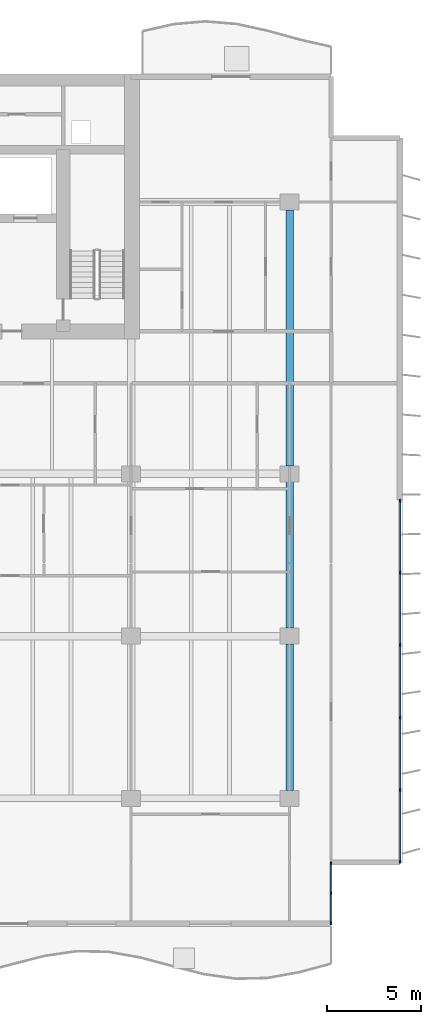
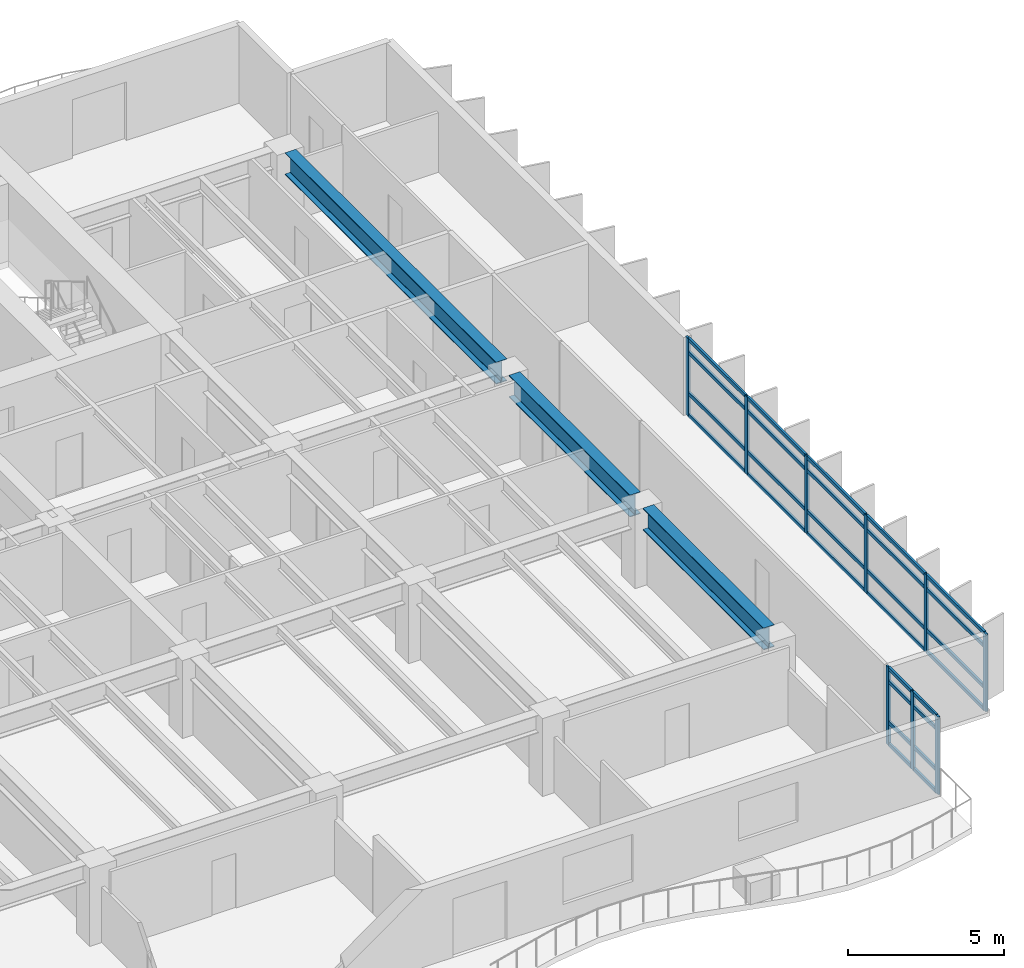
# One storey, part 4 of 16: 37 members, 3 beams, 2 elements without a shape of their own.
"""IFC4 building model written with IfcOpenShell, lengths in metres."""

from ifc_helpers import new_model, si_unit, direction, frame, origin, origin_2d, place, context, subcontext, project, spatial, rectangle, i_section, extrude, material, layer, layer_set, material_profile, profile_set, type_object, element, aggregate, save


model = new_model("IFC4")

# Units and contexts
model_context = context("Model", 3, precision=1e-05, world=origin(), true_north=direction((0.0, 1.0)))
body_context = subcontext(model_context, "Body", "Model", "MODEL_VIEW")
ifc_project = project(units=[si_unit("LENGTHUNIT", "METRE"), si_unit("AREAUNIT", "SQUARE_METRE"), si_unit("VOLUMEUNIT", "CUBIC_METRE"), si_unit("PLANEANGLEUNIT", "RADIAN"), si_unit("MASSUNIT", "GRAM", prefix="KILO")], contexts=[model_context])

# Site, building, storey
site_placement = place(None, origin())
site = spatial("IfcSite", under=ifc_project, at=site_placement, CompositionType="ELEMENT")
building_placement = place(site_placement, origin())
building = spatial("IfcBuilding", under=site, at=building_placement, Name="Caelmar Bay Residences", CompositionType="ELEMENT")
storey_placement = place(building_placement, frame((0.0, 0.0, 142.199951171875)))
storey = spatial("IfcBuildingStorey", under=building, at=storey_placement, Name="L39", CompositionType="ELEMENT", Elevation=142.199951171875)

# Beams
ifc_material_1 = material(Name="Steel ASTM A992 Grade 50", Category="steel")
ifc_material_profile_1 = material_profile(ifc_material_1, i_section(OverallWidth=0.40087890625, OverallDepth=0.861083984375, WebThickness=0.019775390625, FlangeThickness=0.032470703125, FilletRadius=0.017822265625, at=origin_2d()), Name="W33X221")
ifc_profile_set_1 = profile_set([ifc_material_profile_1], Name="Steel ASTM A992 Grade 50")
beam_type = type_object("IfcBeamType", Name="BM-GRD-W33X221", PredefinedType="BEAM", material=ifc_profile_set_1)
for number, where, z_axis, x_axis, name in (
    (1, (67.89990234375, 12.614990234375, 2.61962890625), (0.0, 1.0, 0.0), (-1.0, 0.0, 0.0), "L39 North-South Girder X=67.90 (12.2-20.8)"),
    (2, (67.89990234375, 21.215087890625, 2.61962890625), (0.0, 1.0, 0.0), (-1.0, 0.0, 0.0), "L39 North-South Girder X=67.90 (20.8-29.4)"),
):
    element("IfcBeam", number, at=place(storey_placement, frame(where, z_axis=z_axis, x_axis=x_axis)), inside=storey, type_object=beam_type, Name=name, PredefinedType="BEAM", context=body_context, shape_type="SweptSolid", body=[
        extrude(i_section(OverallWidth=0.40087890625, OverallDepth=0.861083984375, WebThickness=0.019775390625, FlangeThickness=0.032470703125, FilletRadius=0.017822265625, at=origin_2d()), origin(), (0.0, 0.0, 1.0), 7.77001953125),
    ])
beam_placement = place(storey_placement, frame((67.89990234375, 29.81494140625, 2.61962890625), z_axis=(0.0, 1.0, 0.0), x_axis=(-1.0, 0.0, 0.0)))
element("IfcBeam", 3, at=beam_placement, inside=storey, type_object=beam_type, Name="L39 North-South Girder X=67.90 (29.4-43.8)", PredefinedType="BEAM", context=body_context, shape_type="SweptSolid", body=[
    extrude(i_section(OverallWidth=0.40087890625, OverallDepth=0.861083984375, WebThickness=0.019775390625, FlangeThickness=0.032470703125, FilletRadius=0.017822265625, at=origin_2d()), origin(), (0.0, 0.0, 1.0), 13.570068359375),
])

# Curtain wall, members
ifc_material_2 = material(Name="Anodised bronze aluminium 6063-T6 and laminated glass", Category="aluminium")
ifc_layer_1 = layer(ifc_material_2, 0.179931640625)
ifc_layer_set_1 = layer_set([ifc_layer_1], Name="Anodised bronze aluminium 6063-T6 and laminated glass")
curtain_wall_type_1 = type_object("IfcCurtainWallType", Name="CW6-NTC", PredefinedType="NOTDEFINED", material=ifc_layer_set_1)
curtain_wall_1_placement = place(storey_placement, origin())
curtain_wall_1 = element("IfcCurtainWall", 4, at=curtain_wall_1_placement, inside=storey, type_object=curtain_wall_type_1, Name="CW6 curtain wall L39", PredefinedType="NOTDEFINED")
ifc_material_3 = material(Name="Anodised bronze aluminium 6063-T6", Category="aluminium")
ifc_material_profile_2 = material_profile(ifc_material_3, rectangle(XDim=0.080078125, YDim=0.179931640625, at=origin_2d()), Name="CWM-80X180")
ifc_profile_set_2 = profile_set([ifc_material_profile_2], Name="Anodised bronze aluminium 6063-T6")
member_type_1 = type_object("IfcMemberType", Name="CWM-180", PredefinedType="MULLION", material=ifc_profile_set_2)
member_1_placement = place(storey_placement, frame((70.10009765625, 5.590087890625, 0.0), z_axis=(0.0, 0.0, 1.0), x_axis=(-1.0, 0.0, 0.0)))
member_1 = element("IfcMember", 5, at=member_1_placement, type_object=member_type_1, Name="CW6 mullion 1", PredefinedType="MULLION", context=body_context, shape_type="SweptSolid", body=[
    extrude(rectangle(XDim=0.080078125, YDim=0.179931640625, at=origin_2d()), origin(), (0.0, 0.0, 1.0), 3.050048828125),
])
member_2_placement = place(storey_placement, frame((70.10009765625, 7.175048828125, 0.0), z_axis=(0.0, 0.0, 1.0), x_axis=(-1.0, 0.0, 0.0)))
member_2 = element("IfcMember", 6, at=member_2_placement, type_object=member_type_1, Name="CW6 mullion 2", PredefinedType="MULLION", context=body_context, shape_type="SweptSolid", body=[
    extrude(rectangle(XDim=0.080078125, YDim=0.179931640625, at=origin_2d()), origin(), (0.0, 0.0, 1.0), 3.050048828125),
])
member_3_placement = place(storey_placement, frame((70.10009765625, 8.760009765625, 0.0), z_axis=(0.0, 0.0, 1.0), x_axis=(-1.0, 0.0, 0.0)))
member_3 = element("IfcMember", 7, at=member_3_placement, type_object=member_type_1, Name="CW6 mullion 3", PredefinedType="MULLION", context=body_context, shape_type="SweptSolid", body=[
    extrude(rectangle(XDim=0.080078125, YDim=0.179931640625, at=origin_2d()), origin(), (0.0, 0.0, 1.0), 3.050048828125),
])

ifc_layer_2 = layer(ifc_material_2, 0.179931640625)
ifc_layer_set_2 = layer_set([ifc_layer_2], Name="Anodised bronze aluminium 6063-T6 and laminated glass")
curtain_wall_type_2 = type_object("IfcCurtainWallType", Name="CW3-Z2", PredefinedType="NOTDEFINED", material=ifc_layer_set_2)
curtain_wall_2_placement = place(storey_placement, origin())
curtain_wall_2 = element("IfcCurtainWall", 8, at=curtain_wall_2_placement, inside=storey, type_object=curtain_wall_type_2, Name="CW3 curtain wall L39", PredefinedType="NOTDEFINED")
member_4_placement = place(storey_placement, frame((73.75, 27.9599609375, 0.0), z_axis=(0.0, 0.0, 1.0), x_axis=(1.0, 0.0, 0.0)))
member_4 = element("IfcMember", 9, at=member_4_placement, type_object=member_type_1, Name="CW3 mullion 1", PredefinedType="MULLION", context=body_context, shape_type="SweptSolid", body=[
    extrude(rectangle(XDim=0.080078125, YDim=0.179931640625, at=origin_2d()), origin(), (0.0, 0.0, 1.0), 3.050048828125),
])
member_5_placement = place(storey_placement, frame((73.75, 24.159912109375, 0.0), z_axis=(0.0, 0.0, 1.0), x_axis=(1.0, 0.0, 0.0)))
member_5 = element("IfcMember", 10, at=member_5_placement, type_object=member_type_1, Name="CW3 mullion 2", PredefinedType="MULLION", context=body_context, shape_type="SweptSolid", body=[
    extrude(rectangle(XDim=0.080078125, YDim=0.179931640625, at=origin_2d()), origin(), (0.0, 0.0, 1.0), 3.050048828125),
])
member_6_placement = place(storey_placement, frame((73.75, 20.320068359375, 0.0), z_axis=(0.0, 0.0, 1.0), x_axis=(1.0, 0.0, 0.0)))
member_6 = element("IfcMember", 11, at=member_6_placement, type_object=member_type_1, Name="CW3 mullion 3", PredefinedType="MULLION", context=body_context, shape_type="SweptSolid", body=[
    extrude(rectangle(XDim=0.080078125, YDim=0.179931640625, at=origin_2d()), origin(), (0.0, 0.0, 1.0), 3.050048828125),
])
member_7_placement = place(storey_placement, frame((73.75, 16.47998046875, 0.0), z_axis=(0.0, 0.0, 1.0), x_axis=(1.0, 0.0, 0.0)))
member_7 = element("IfcMember", 12, at=member_7_placement, type_object=member_type_1, Name="CW3 mullion 4", PredefinedType="MULLION", context=body_context, shape_type="SweptSolid", body=[
    extrude(rectangle(XDim=0.080078125, YDim=0.179931640625, at=origin_2d()), origin(), (0.0, 0.0, 1.0), 3.050048828125),
])
member_8_placement = place(storey_placement, frame((73.75, 12.639892578125, 0.0), z_axis=(0.0, 0.0, 1.0), x_axis=(1.0, 0.0, 0.0)))
member_8 = element("IfcMember", 13, at=member_8_placement, type_object=member_type_1, Name="CW3 mullion 5", PredefinedType="MULLION", context=body_context, shape_type="SweptSolid", body=[
    extrude(rectangle(XDim=0.080078125, YDim=0.179931640625, at=origin_2d()), origin(), (0.0, 0.0, 1.0), 3.050048828125),
])
member_9_placement = place(storey_placement, frame((73.75, 8.840087890625, 0.0), z_axis=(0.0, 0.0, 1.0), x_axis=(1.0, 0.0, 0.0)))
member_9 = element("IfcMember", 14, at=member_9_placement, type_object=member_type_1, Name="CW3 mullion 6", PredefinedType="MULLION", context=body_context, shape_type="SweptSolid", body=[
    extrude(rectangle(XDim=0.080078125, YDim=0.179931640625, at=origin_2d()), origin(), (0.0, 0.0, 1.0), 3.050048828125),
])

# Member
ifc_material_profile_3 = material_profile(ifc_material_3, rectangle(XDim=0.080078125, YDim=0.139892578125, at=origin_2d()), Name="CWT-80X140")
ifc_profile_set_3 = profile_set([ifc_material_profile_3], Name="Anodised bronze aluminium 6063-T6")
member_type_2 = type_object("IfcMemberType", Name="CWT-140", PredefinedType="NOTDEFINED", material=ifc_profile_set_3)
member_10_placement = place(storey_placement, frame((70.10009765625, 5.6298828125, 0.0400390625), z_axis=(0.0, 1.0, 0.0), x_axis=(-1.0, 0.0, 0.0)))
member_10 = element("IfcMember", 15, at=member_10_placement, type_object=member_type_2, Name="CW6 transom 1.1", ObjectType="TRANSOM", PredefinedType="USERDEFINED", context=body_context, shape_type="SweptSolid", body=[
    extrude(rectangle(XDim=0.080078125, YDim=0.139892578125, at=origin_2d()), origin(), (0.0, 0.0, 1.0), 1.505126953125),
])

member_11_placement = place(storey_placement, frame((70.10009765625, 5.6298828125, 0.900146484375), z_axis=(0.0, 1.0, 0.0), x_axis=(-1.0, 0.0, 0.0)))
member_11 = element("IfcMember", 16, at=member_11_placement, type_object=member_type_2, Name="CW6 transom 1.2", ObjectType="TRANSOM", PredefinedType="USERDEFINED", context=body_context, shape_type="SweptSolid", body=[
    extrude(rectangle(XDim=0.080078125, YDim=0.139892578125, at=origin_2d()), origin(), (0.0, 0.0, 1.0), 1.505126953125),
])

member_12_placement = place(storey_placement, frame((70.10009765625, 5.6298828125, 2.5), z_axis=(0.0, 1.0, 0.0), x_axis=(-1.0, 0.0, 0.0)))
member_12 = element("IfcMember", 17, at=member_12_placement, type_object=member_type_2, Name="CW6 transom 1.3", ObjectType="TRANSOM", PredefinedType="USERDEFINED", context=body_context, shape_type="SweptSolid", body=[
    extrude(rectangle(XDim=0.080078125, YDim=0.139892578125, at=origin_2d()), origin(), (0.0, 0.0, 1.0), 1.505126953125),
])

member_13_placement = place(storey_placement, frame((70.10009765625, 5.6298828125, 3.010009765625), z_axis=(0.0, 1.0, 0.0), x_axis=(-1.0, 0.0, 0.0)))
member_13 = element("IfcMember", 18, at=member_13_placement, type_object=member_type_2, Name="CW6 transom 1.4", ObjectType="TRANSOM", PredefinedType="USERDEFINED", context=body_context, shape_type="SweptSolid", body=[
    extrude(rectangle(XDim=0.080078125, YDim=0.139892578125, at=origin_2d()), origin(), (0.0, 0.0, 1.0), 1.505126953125),
])

member_14_placement = place(storey_placement, frame((70.10009765625, 7.215087890625, 0.0400390625), z_axis=(0.0, 1.0, 0.0), x_axis=(-1.0, 0.0, 0.0)))
member_14 = element("IfcMember", 19, at=member_14_placement, type_object=member_type_2, Name="CW6 transom 2.1", ObjectType="TRANSOM", PredefinedType="USERDEFINED", context=body_context, shape_type="SweptSolid", body=[
    extrude(rectangle(XDim=0.080078125, YDim=0.139892578125, at=origin_2d()), origin(), (0.0, 0.0, 1.0), 1.5048828125),
])

member_15_placement = place(storey_placement, frame((70.10009765625, 7.215087890625, 0.900146484375), z_axis=(0.0, 1.0, 0.0), x_axis=(-1.0, 0.0, 0.0)))
member_15 = element("IfcMember", 20, at=member_15_placement, type_object=member_type_2, Name="CW6 transom 2.2", ObjectType="TRANSOM", PredefinedType="USERDEFINED", context=body_context, shape_type="SweptSolid", body=[
    extrude(rectangle(XDim=0.080078125, YDim=0.139892578125, at=origin_2d()), origin(), (0.0, 0.0, 1.0), 1.5048828125),
])

member_16_placement = place(storey_placement, frame((70.10009765625, 7.215087890625, 2.5), z_axis=(0.0, 1.0, 0.0), x_axis=(-1.0, 0.0, 0.0)))
member_16 = element("IfcMember", 21, at=member_16_placement, type_object=member_type_2, Name="CW6 transom 2.3", ObjectType="TRANSOM", PredefinedType="USERDEFINED", context=body_context, shape_type="SweptSolid", body=[
    extrude(rectangle(XDim=0.080078125, YDim=0.139892578125, at=origin_2d()), origin(), (0.0, 0.0, 1.0), 1.5048828125),
])

member_17_placement = place(storey_placement, frame((70.10009765625, 7.215087890625, 3.010009765625), z_axis=(0.0, 1.0, 0.0), x_axis=(-1.0, 0.0, 0.0)))
member_17 = element("IfcMember", 22, at=member_17_placement, type_object=member_type_2, Name="CW6 transom 2.4", ObjectType="TRANSOM", PredefinedType="USERDEFINED", context=body_context, shape_type="SweptSolid", body=[
    extrude(rectangle(XDim=0.080078125, YDim=0.139892578125, at=origin_2d()), origin(), (0.0, 0.0, 1.0), 1.5048828125),
])

aggregate(curtain_wall_1, [member_1, member_2, member_3, member_10, member_11, member_12, member_13, member_14, member_15, member_16, member_17])

member_18_placement = place(storey_placement, frame((73.75, 27.919921875, 0.0400390625), z_axis=(0.0, -1.0, 0.0), x_axis=(1.0, 0.0, 0.0)))
member_18 = element("IfcMember", 23, at=member_18_placement, type_object=member_type_2, Name="CW3 transom 1.1", ObjectType="TRANSOM", PredefinedType="USERDEFINED", context=body_context, shape_type="SweptSolid", body=[
    extrude(rectangle(XDim=0.080078125, YDim=0.139892578125, at=origin_2d()), origin(), (0.0, 0.0, 1.0), 3.719970703125),
])

member_19_placement = place(storey_placement, frame((73.75, 27.919921875, 0.900146484375), z_axis=(0.0, -1.0, 0.0), x_axis=(1.0, 0.0, 0.0)))
member_19 = element("IfcMember", 24, at=member_19_placement, type_object=member_type_2, Name="CW3 transom 1.2", ObjectType="TRANSOM", PredefinedType="USERDEFINED", context=body_context, shape_type="SweptSolid", body=[
    extrude(rectangle(XDim=0.080078125, YDim=0.139892578125, at=origin_2d()), origin(), (0.0, 0.0, 1.0), 3.719970703125),
])

member_20_placement = place(storey_placement, frame((73.75, 27.919921875, 2.5), z_axis=(0.0, -1.0, 0.0), x_axis=(1.0, 0.0, 0.0)))
member_20 = element("IfcMember", 25, at=member_20_placement, type_object=member_type_2, Name="CW3 transom 1.3", ObjectType="TRANSOM", PredefinedType="USERDEFINED", context=body_context, shape_type="SweptSolid", body=[
    extrude(rectangle(XDim=0.080078125, YDim=0.139892578125, at=origin_2d()), origin(), (0.0, 0.0, 1.0), 3.719970703125),
])

member_21_placement = place(storey_placement, frame((73.75, 27.919921875, 3.010009765625), z_axis=(0.0, -1.0, 0.0), x_axis=(1.0, 0.0, 0.0)))
member_21 = element("IfcMember", 26, at=member_21_placement, type_object=member_type_2, Name="CW3 transom 1.4", ObjectType="TRANSOM", PredefinedType="USERDEFINED", context=body_context, shape_type="SweptSolid", body=[
    extrude(rectangle(XDim=0.080078125, YDim=0.139892578125, at=origin_2d()), origin(), (0.0, 0.0, 1.0), 3.719970703125),
])

member_22_placement = place(storey_placement, frame((73.75, 24.1201171875, 0.0400390625), z_axis=(0.0, -1.0, 0.0), x_axis=(1.0, 0.0, 0.0)))
member_22 = element("IfcMember", 27, at=member_22_placement, type_object=member_type_2, Name="CW3 transom 2.1", ObjectType="TRANSOM", PredefinedType="USERDEFINED", context=body_context, shape_type="SweptSolid", body=[
    extrude(rectangle(XDim=0.080078125, YDim=0.139892578125, at=origin_2d()), origin(), (0.0, 0.0, 1.0), 3.760009765625),
])

member_23_placement = place(storey_placement, frame((73.75, 24.1201171875, 0.900146484375), z_axis=(0.0, -1.0, 0.0), x_axis=(1.0, 0.0, 0.0)))
member_23 = element("IfcMember", 28, at=member_23_placement, type_object=member_type_2, Name="CW3 transom 2.2", ObjectType="TRANSOM", PredefinedType="USERDEFINED", context=body_context, shape_type="SweptSolid", body=[
    extrude(rectangle(XDim=0.080078125, YDim=0.139892578125, at=origin_2d()), origin(), (0.0, 0.0, 1.0), 3.760009765625),
])

member_24_placement = place(storey_placement, frame((73.75, 24.1201171875, 2.5), z_axis=(0.0, -1.0, 0.0), x_axis=(1.0, 0.0, 0.0)))
member_24 = element("IfcMember", 29, at=member_24_placement, type_object=member_type_2, Name="CW3 transom 2.3", ObjectType="TRANSOM", PredefinedType="USERDEFINED", context=body_context, shape_type="SweptSolid", body=[
    extrude(rectangle(XDim=0.080078125, YDim=0.139892578125, at=origin_2d()), origin(), (0.0, 0.0, 1.0), 3.760009765625),
])

member_25_placement = place(storey_placement, frame((73.75, 24.1201171875, 3.010009765625), z_axis=(0.0, -1.0, 0.0), x_axis=(1.0, 0.0, 0.0)))
member_25 = element("IfcMember", 30, at=member_25_placement, type_object=member_type_2, Name="CW3 transom 2.4", ObjectType="TRANSOM", PredefinedType="USERDEFINED", context=body_context, shape_type="SweptSolid", body=[
    extrude(rectangle(XDim=0.080078125, YDim=0.139892578125, at=origin_2d()), origin(), (0.0, 0.0, 1.0), 3.760009765625),
])

member_26_placement = place(storey_placement, frame((73.75, 20.280029296875, 0.0400390625), z_axis=(0.0, -1.0, 0.0), x_axis=(1.0, 0.0, 0.0)))
member_26 = element("IfcMember", 31, at=member_26_placement, type_object=member_type_2, Name="CW3 transom 3.1", ObjectType="TRANSOM", PredefinedType="USERDEFINED", context=body_context, shape_type="SweptSolid", body=[
    extrude(rectangle(XDim=0.080078125, YDim=0.139892578125, at=origin_2d()), origin(), (0.0, 0.0, 1.0), 3.760009765625),
])

member_27_placement = place(storey_placement, frame((73.75, 20.280029296875, 0.900146484375), z_axis=(0.0, -1.0, 0.0), x_axis=(1.0, 0.0, 0.0)))
member_27 = element("IfcMember", 32, at=member_27_placement, type_object=member_type_2, Name="CW3 transom 3.2", ObjectType="TRANSOM", PredefinedType="USERDEFINED", context=body_context, shape_type="SweptSolid", body=[
    extrude(rectangle(XDim=0.080078125, YDim=0.139892578125, at=origin_2d()), origin(), (0.0, 0.0, 1.0), 3.760009765625),
])

member_28_placement = place(storey_placement, frame((73.75, 20.280029296875, 2.5), z_axis=(0.0, -1.0, 0.0), x_axis=(1.0, 0.0, 0.0)))
member_28 = element("IfcMember", 33, at=member_28_placement, type_object=member_type_2, Name="CW3 transom 3.3", ObjectType="TRANSOM", PredefinedType="USERDEFINED", context=body_context, shape_type="SweptSolid", body=[
    extrude(rectangle(XDim=0.080078125, YDim=0.139892578125, at=origin_2d()), origin(), (0.0, 0.0, 1.0), 3.760009765625),
])

member_29_placement = place(storey_placement, frame((73.75, 20.280029296875, 3.010009765625), z_axis=(0.0, -1.0, 0.0), x_axis=(1.0, 0.0, 0.0)))
member_29 = element("IfcMember", 34, at=member_29_placement, type_object=member_type_2, Name="CW3 transom 3.4", ObjectType="TRANSOM", PredefinedType="USERDEFINED", context=body_context, shape_type="SweptSolid", body=[
    extrude(rectangle(XDim=0.080078125, YDim=0.139892578125, at=origin_2d()), origin(), (0.0, 0.0, 1.0), 3.760009765625),
])

member_30_placement = place(storey_placement, frame((73.75, 16.43994140625, 0.0400390625), z_axis=(0.0, -1.0, 0.0), x_axis=(1.0, 0.0, 0.0)))
member_30 = element("IfcMember", 35, at=member_30_placement, type_object=member_type_2, Name="CW3 transom 4.1", ObjectType="TRANSOM", PredefinedType="USERDEFINED", context=body_context, shape_type="SweptSolid", body=[
    extrude(rectangle(XDim=0.080078125, YDim=0.139892578125, at=origin_2d()), origin(), (0.0, 0.0, 1.0), 3.760009765625),
])

member_31_placement = place(storey_placement, frame((73.75, 16.43994140625, 0.900146484375), z_axis=(0.0, -1.0, 0.0), x_axis=(1.0, 0.0, 0.0)))
member_31 = element("IfcMember", 36, at=member_31_placement, type_object=member_type_2, Name="CW3 transom 4.2", ObjectType="TRANSOM", PredefinedType="USERDEFINED", context=body_context, shape_type="SweptSolid", body=[
    extrude(rectangle(XDim=0.080078125, YDim=0.139892578125, at=origin_2d()), origin(), (0.0, 0.0, 1.0), 3.760009765625),
])

member_32_placement = place(storey_placement, frame((73.75, 16.43994140625, 2.5), z_axis=(0.0, -1.0, 0.0), x_axis=(1.0, 0.0, 0.0)))
member_32 = element("IfcMember", 37, at=member_32_placement, type_object=member_type_2, Name="CW3 transom 4.3", ObjectType="TRANSOM", PredefinedType="USERDEFINED", context=body_context, shape_type="SweptSolid", body=[
    extrude(rectangle(XDim=0.080078125, YDim=0.139892578125, at=origin_2d()), origin(), (0.0, 0.0, 1.0), 3.760009765625),
])

member_33_placement = place(storey_placement, frame((73.75, 16.43994140625, 3.010009765625), z_axis=(0.0, -1.0, 0.0), x_axis=(1.0, 0.0, 0.0)))
member_33 = element("IfcMember", 38, at=member_33_placement, type_object=member_type_2, Name="CW3 transom 4.4", ObjectType="TRANSOM", PredefinedType="USERDEFINED", context=body_context, shape_type="SweptSolid", body=[
    extrude(rectangle(XDim=0.080078125, YDim=0.139892578125, at=origin_2d()), origin(), (0.0, 0.0, 1.0), 3.760009765625),
])

member_34_placement = place(storey_placement, frame((73.75, 12.60009765625, 0.0400390625), z_axis=(0.0, -1.0, 0.0), x_axis=(1.0, 0.0, 0.0)))
member_34 = element("IfcMember", 39, at=member_34_placement, type_object=member_type_2, Name="CW3 transom 5.1", ObjectType="TRANSOM", PredefinedType="USERDEFINED", context=body_context, shape_type="SweptSolid", body=[
    extrude(rectangle(XDim=0.080078125, YDim=0.139892578125, at=origin_2d()), origin(), (0.0, 0.0, 1.0), 3.72021484375),
])

member_35_placement = place(storey_placement, frame((73.75, 12.60009765625, 0.900146484375), z_axis=(0.0, -1.0, 0.0), x_axis=(1.0, 0.0, 0.0)))
member_35 = element("IfcMember", 40, at=member_35_placement, type_object=member_type_2, Name="CW3 transom 5.2", ObjectType="TRANSOM", PredefinedType="USERDEFINED", context=body_context, shape_type="SweptSolid", body=[
    extrude(rectangle(XDim=0.080078125, YDim=0.139892578125, at=origin_2d()), origin(), (0.0, 0.0, 1.0), 3.72021484375),
])

member_36_placement = place(storey_placement, frame((73.75, 12.60009765625, 2.5), z_axis=(0.0, -1.0, 0.0), x_axis=(1.0, 0.0, 0.0)))
member_36 = element("IfcMember", 41, at=member_36_placement, type_object=member_type_2, Name="CW3 transom 5.3", ObjectType="TRANSOM", PredefinedType="USERDEFINED", context=body_context, shape_type="SweptSolid", body=[
    extrude(rectangle(XDim=0.080078125, YDim=0.139892578125, at=origin_2d()), origin(), (0.0, 0.0, 1.0), 3.72021484375),
])

member_37_placement = place(storey_placement, frame((73.75, 12.60009765625, 3.010009765625), z_axis=(0.0, -1.0, 0.0), x_axis=(1.0, 0.0, 0.0)))
member_37 = element("IfcMember", 42, at=member_37_placement, type_object=member_type_2, Name="CW3 transom 5.4", ObjectType="TRANSOM", PredefinedType="USERDEFINED", context=body_context, shape_type="SweptSolid", body=[
    extrude(rectangle(XDim=0.080078125, YDim=0.139892578125, at=origin_2d()), origin(), (0.0, 0.0, 1.0), 3.72021484375),
])

aggregate(curtain_wall_2, [member_4, member_5, member_6, member_7, member_8, member_9, member_18, member_19, member_20, member_21, member_22, member_23, member_24, member_25, member_26, member_27, member_28, member_29, member_30, member_31, member_32, member_33, member_34, member_35, member_36, member_37])

save(model, "model.ifc")
